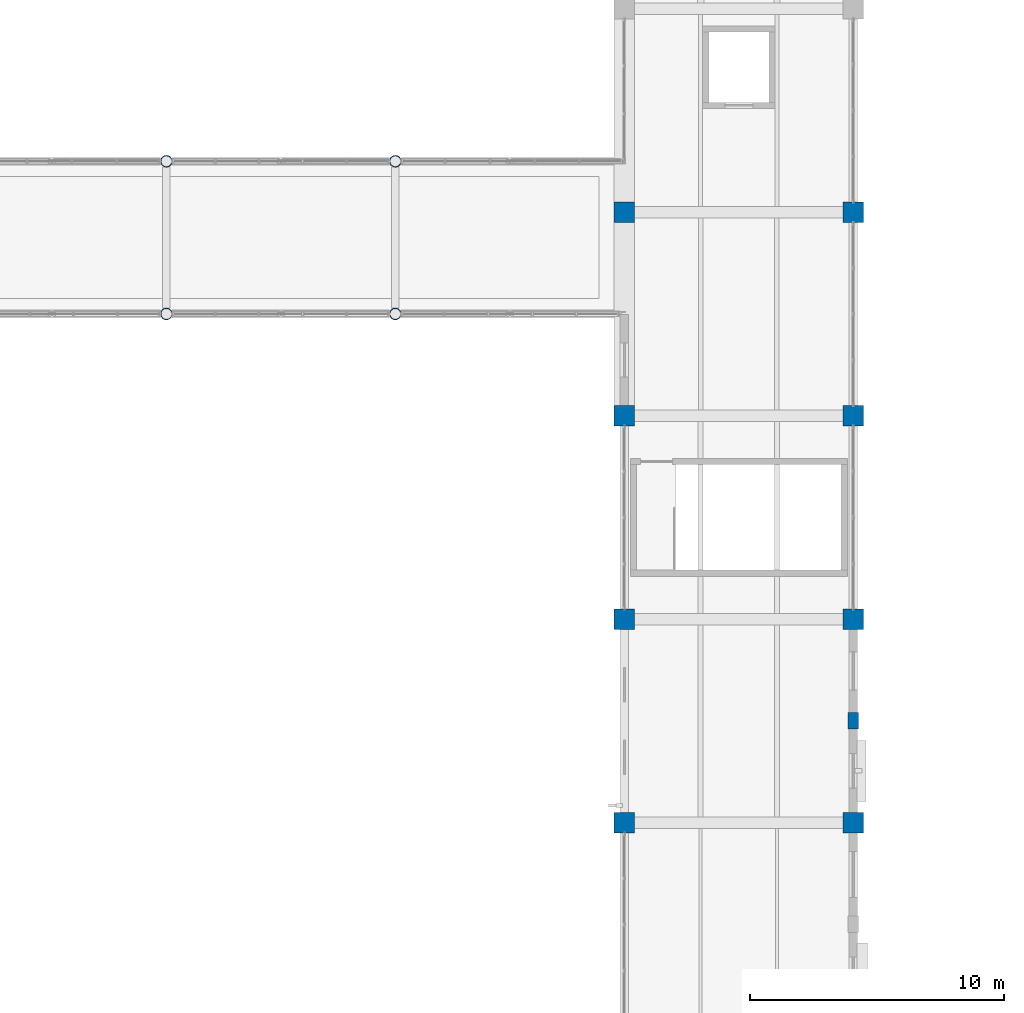
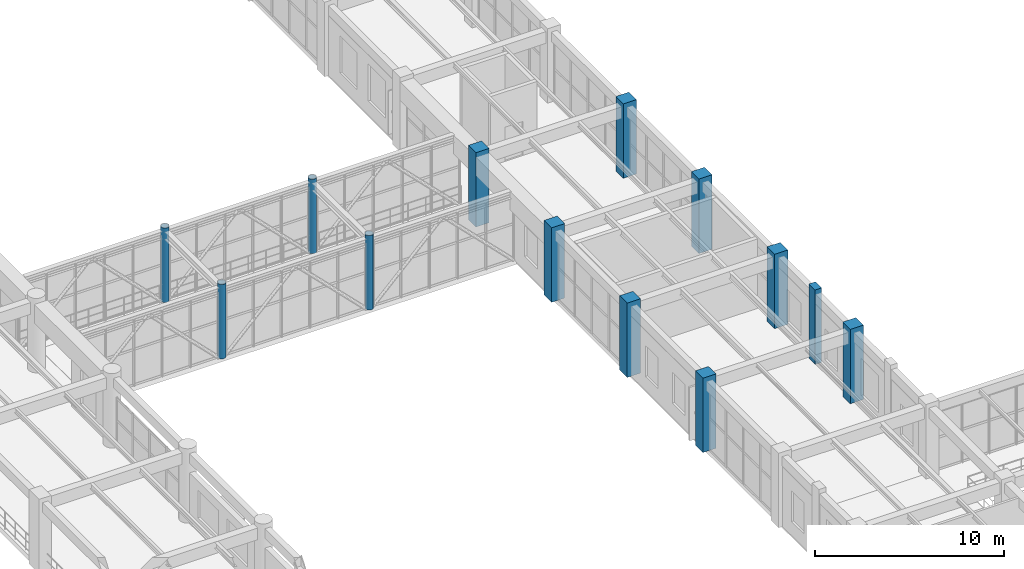
# One storey, part 6 of 178: 13 columns.
"""IFC4 building model written with IfcOpenShell, lengths in metres."""

import ifcopenshell
import ifcopenshell.guid

model = None  # the IFC model being written
_history = None  # IfcOwnerHistory: only IFC2X3 demands one
_inside = {}  # id of a spatial element -> (the spatial element, [elements in it])
_under = {}  # id of a project, library or spatial element -> (it, [spatial elements below it])
_declared = {}  # id of a project -> (the project, [libraries it declares])
_typed = {}  # id of a type object -> (the type object, [elements of that type])
_made_of = {}  # id of a material, layer set ... -> (it, [elements and type objects made of it])


def new_model(schema):
    """Start an empty IFC model of exactly this schema.

    Asked for "IFC4X3", IfcOpenShell would pick the latest addendum, in which some entities
    have other attributes; the version numbers below select the first issue.
    IFC2X3 requires an IfcOwnerHistory on every rooted entity: one is made here for all.
    """
    global model, _history
    if schema == "IFC4X3":
        model = ifcopenshell.file(schema_version=(4, 3, 0, 0))
    else:
        model = ifcopenshell.file(schema=schema)
    _inside.clear()
    _under.clear()
    _declared.clear()
    _typed.clear()
    _made_of.clear()
    _history = None
    if model.schema == "IFC2X3":
        org = make("IfcOrganization", Name="unknown")
        user = make(
            "IfcPersonAndOrganization",
            ThePerson=make("IfcPerson", FamilyName="unknown"),
            TheOrganization=org,
        )
        app = make(
            "IfcApplication",
            ApplicationDeveloper=org,
            Version="unknown",
            ApplicationFullName="unknown",
            ApplicationIdentifier="unknown",
        )
        _history = make(
            "IfcOwnerHistory",
            OwningUser=user,
            OwningApplication=app,
            ChangeAction="ADDED",
            CreationDate=0,
        )
    return model


def make(cls, **values):
    """One entity of the class cls with the attributes given. An attribute that is None is left unset."""
    return model.create_entity(
        cls, **{name: value for name, value in values.items() if value is not None}
    )


def rooted(cls, **values):
    """An entity with a GlobalId (a new one), such as an element, a storey or a relation."""
    return make(cls, GlobalId=ifcopenshell.guid.new(), OwnerHistory=_history, **values)


def si_unit(unit_type, name, prefix=None):
    """IfcSIUnit, for example si_unit("LENGTHUNIT", "METRE", prefix="MILLI")."""
    return make("IfcSIUnit", UnitType=unit_type, Prefix=prefix, Name=name)


def derived_unit(unit_type, elements):
    """IfcDerivedUnit: a product of units, each with its exponent."""
    return make(
        "IfcDerivedUnit",
        Elements=[
            make("IfcDerivedUnitElement", Unit=unit, Exponent=power)
            for unit, power in elements
        ],
        UnitType=unit_type,
    )


def assignment(units):
    """IfcUnitAssignment: the units of a project."""
    return None if units is None else make("IfcUnitAssignment", Units=units)


def point(xyz):
    """IfcCartesianPoint."""
    return None if xyz is None else make("IfcCartesianPoint", Coordinates=xyz)


def direction(xyz):
    """IfcDirection."""
    return None if xyz is None else make("IfcDirection", DirectionRatios=xyz)


def frame(location, z_axis=None, x_axis=None):
    """IfcAxis2Placement3D, a coordinate frame: its origin and axes. An axis left out is left unset."""
    return make(
        "IfcAxis2Placement3D",
        Location=point(location),
        Axis=direction(z_axis),
        RefDirection=direction(x_axis),
    )


def frame_2d(location, x_axis=None):
    """IfcAxis2Placement2D, a coordinate frame in the plane: its origin and x axis."""
    return make(
        "IfcAxis2Placement2D", Location=point(location), RefDirection=direction(x_axis)
    )


def origin():
    """The frame at (0, 0, 0) with its axes left unset."""
    return frame((0.0, 0.0, 0.0))


def origin_2d():
    """The frame at (0, 0) in the plane with its x axis left unset."""
    return frame_2d((0.0, 0.0))


def place(relative_to, where):
    """IfcLocalPlacement: puts the frame where relative to a parent placement (None: the world)."""
    return make(
        "IfcLocalPlacement", PlacementRelTo=relative_to, RelativePlacement=where
    )


def context(
    kind, dimensions, precision=None, world=None, true_north=None, identifier=None
):
    """IfcGeometricRepresentationContext, for example the 3D "Model" context."""
    return make(
        "IfcGeometricRepresentationContext",
        ContextIdentifier=identifier,
        ContextType=kind,
        CoordinateSpaceDimension=dimensions,
        Precision=precision,
        WorldCoordinateSystem=world,
        TrueNorth=true_north,
    )


def subcontext(parent, identifier, kind, view, scale=None):
    """IfcGeometricRepresentationSubContext, for example "Body" below "Model"."""
    return make(
        "IfcGeometricRepresentationSubContext",
        ContextIdentifier=identifier,
        ContextType=kind,
        ParentContext=parent,
        TargetScale=scale,
        TargetView=view,
    )


def project(units=None, contexts=None):
    """IfcProject with its units and contexts."""
    return rooted(
        "IfcProject",
        Name="project",
        RepresentationContexts=contexts,
        UnitsInContext=assignment(units),
    )


def spatial(cls, under=None, at=None, **own):
    """A site, building, storey or space (cls), placed at a placement, below another one or the project."""
    s = rooted(cls, ObjectPlacement=at, **own)
    if under is not None:
        _under.setdefault(under.id(), (under, []))[1].append(s)
    return s


def profile(cls, at=None, kind="AREA", **sizes):
    """A parametric profile (cls). Its sizes go by their IFC names, for example OverallWidth=200.0."""
    return make(cls, ProfileType=kind, Position=at, **sizes)


def rectangle(**sizes):
    """IfcRectangleProfileDef."""
    return profile("IfcRectangleProfileDef", **sizes)


def hollow_circle(**sizes):
    """IfcCircleHollowProfileDef."""
    return profile("IfcCircleHollowProfileDef", **sizes)


def extrude(swept, where, along, depth):
    """IfcExtrudedAreaSolid: the profile swept, set in the frame where, extruded along a direction by depth."""
    return make(
        "IfcExtrudedAreaSolid",
        SweptArea=swept,
        Position=where,
        ExtrudedDirection=direction(along),
        Depth=depth,
    )


def shape(context_of_items, identifier, shape_type, items):
    """IfcShapeRepresentation: the items that make up one representation, for example the "Body"."""
    return make(
        "IfcShapeRepresentation",
        ContextOfItems=context_of_items,
        RepresentationIdentifier=identifier,
        RepresentationType=shape_type,
        Items=items,
    )


def material(Name=None, Category=None):
    """IfcMaterial."""
    return make("IfcMaterial", Name=Name, Category=Category)


def material_profile(
    of_material, cross_section, Name=None, Category=None, Priority=None
):
    """IfcMaterialProfile: a cross section and its material."""
    return make(
        "IfcMaterialProfile",
        Name=Name,
        Material=of_material,
        Profile=cross_section,
        Priority=Priority,
        Category=Category,
    )


def profile_set(profiles, Name=None, composite=None):
    """IfcMaterialProfileSet."""
    return make(
        "IfcMaterialProfileSet",
        Name=Name,
        MaterialProfiles=profiles,
        CompositeProfile=composite,
    )


def made_of(thing, what):
    """Note that an element or type object is made of a material, layer set ...; save() writes the relation."""
    if what is not None:
        _made_of.setdefault(what.id(), (what, []))[1].append(thing)
    return thing


def type_object(cls, material=None, **own):
    """A type object (cls), such as IfcWallType, which elements share."""
    return made_of(rooted(cls, **own), material)


def element(
    cls,
    number,
    at=None,
    inside=None,
    cuts=None,
    type_object=None,
    material=None,
    context=None,
    identifier="Body",
    shape_type=None,
    held_by="IfcProductDefinitionShape",
    body=None,
    shapes=None,
    **own,
):
    """One element of the class cls, such as IfcWall. Its Tag is "e" and its number.

    at: its placement. inside: the storey or other place that contains it. cuts: it is an
    opening in that element (IfcRelVoidsElement). A single representation is given by context,
    identifier, shape_type and body (its items); several are given by shapes. held_by: the class
    of the entity that holds the representations. save() writes the other relations.
    """
    e = rooted(cls, Tag="e%d" % number, ObjectPlacement=at, **own)
    if body is not None:
        shapes = [shape(context, identifier, shape_type, body)]
    if shapes is not None:
        e.Representation = make(held_by, Representations=shapes)
    if inside is not None:
        _inside.setdefault(inside.id(), (inside, []))[1].append(e)
    if cuts is not None:
        rooted(
            "IfcRelVoidsElement", RelatingBuildingElement=cuts, RelatedOpeningElement=e
        )
    if type_object is not None:
        _typed.setdefault(type_object.id(), (type_object, []))[1].append(e)
    return made_of(e, material)


def aggregate(whole, parts):
    """IfcRelAggregates: a whole, such as a stair, and the parts it consists of."""
    return rooted("IfcRelAggregates", RelatingObject=whole, RelatedObjects=parts)


def save(model, path):
    """Write the relations noted so far, then the file.

    IfcRelAggregates (storeys below a building ...), IfcRelContainedInSpatialStructure (elements
    in a storey), IfcRelDefinesByType, IfcRelAssociatesMaterial and IfcRelDeclares: one each for
    every whole, place, type object, material and project.
    """
    for whole, parts in _under.values():
        aggregate(whole, parts)
    for where, things in _inside.values():
        rooted(
            "IfcRelContainedInSpatialStructure",
            RelatedElements=things,
            RelatingStructure=where,
        )
    for kind, things in _typed.values():
        rooted("IfcRelDefinesByType", RelatedObjects=things, RelatingType=kind)
    for what, things in _made_of.values():
        rooted("IfcRelAssociatesMaterial", RelatedObjects=things, RelatingMaterial=what)
    for by, libraries in _declared.values():
        rooted("IfcRelDeclares", RelatingContext=by, RelatedDefinitions=libraries)
    model.write(path)


model = new_model("IFC4")

# Units and contexts
model_context = context("Model", 3, precision=1e-05, world=origin(), true_north=direction((0.0, 1.0)))
body_context = subcontext(model_context, "Body", "Model", "MODEL_VIEW")
ifc_project = project(units=[si_unit("LENGTHUNIT", "METRE"), si_unit("AREAUNIT", "SQUARE_METRE"), si_unit("VOLUMEUNIT", "CUBIC_METRE"), si_unit("PLANEANGLEUNIT", "RADIAN"), si_unit("MASSUNIT", "GRAM", prefix="KILO"), derived_unit("THERMALTRANSMITTANCEUNIT", [(si_unit("MASSUNIT", "GRAM", prefix="KILO"), 1), (si_unit("TIMEUNIT", "SECOND"), -3), (si_unit("THERMODYNAMICTEMPERATUREUNIT", "KELVIN"), -1)])], contexts=[model_context])

# Site, building, storey
site_placement = place(None, origin())
site = spatial("IfcSite", under=ifc_project, at=site_placement, CompositionType="ELEMENT")
building_placement = place(site_placement, origin())
building = spatial("IfcBuilding", under=site, at=building_placement, Name="Zhenchuan Archway Interchange", CompositionType="ELEMENT")
storey_placement = place(building_placement, frame((0.0, 0.0, 5.39990234375)))
storey = spatial("IfcBuildingStorey", under=building, at=storey_placement, Name="L01", CompositionType="ELEMENT", Elevation=5.39990234375)

# Columns
ifc_material_1 = material(Name="Concrete C40", Category="concrete")
ifc_material_profile_1 = material_profile(ifc_material_1, rectangle(XDim=0.800048828125, YDim=0.800048828125, at=origin_2d()), Name="RC 800x800")
ifc_profile_set_1 = profile_set([ifc_material_profile_1], Name="Concrete C40")
column_type_1 = type_object("IfcColumnType", Name="COL_RC_800", PredefinedType="COLUMN", material=ifc_profile_set_1)
for number, where, z_axis, x_axis, name in (
    (1, (99.0, 32.0, 0.0), (0.0, 0.0, 1.0), (1.0, 0.0, 0.0), "Column 12/E (L01)"),
    (2, (99.0, 40.0, 0.0), (0.0, 0.0, 1.0), (1.0, 0.0, 0.0), "Column 12/F (L01)"),
    (3, (99.0, 48.0, 0.0), (0.0, 0.0, 1.0), (1.0, 0.0, 0.0), "Column 12/G (L01)"),
    (4, (99.0, 56.0, 0.0), (0.0, 0.0, 1.0), (1.0, 0.0, 0.0), "Column 12/H (L01)"),
    (5, (108.0, 32.0, 0.0), (0.0, 0.0, 1.0), (1.0, 0.0, 0.0), "Column 13/E (L01)"),
    (6, (108.0, 40.0, 0.0), (0.0, 0.0, 1.0), (1.0, 0.0, 0.0), "Column 13/F (L01)"),
    (7, (108.0, 48.0, 0.0), (0.0, 0.0, 1.0), (1.0, 0.0, 0.0), "Column 13/G (L01)"),
    (8, (108.0, 56.0, 0.0), (0.0, 0.0, 1.0), (1.0, 0.0, 0.0), "Column 13/H (L01)"),
):
    element("IfcColumn", number, at=place(storey_placement, frame(where, z_axis=z_axis, x_axis=x_axis)), inside=storey, type_object=column_type_1, Name=name, PredefinedType="COLUMN", context=body_context, shape_type="SweptSolid", body=[
        extrude(rectangle(XDim=0.800048828125, YDim=0.800048828125, at=origin_2d()), origin(), (0.0, 0.0, 1.0), 4.800048828125),
    ])
ifc_material_2 = material(Name="Steel Q390", Category="steel")
ifc_material_profile_2 = material_profile(ifc_material_2, hollow_circle(Radius=0.228515625, WallThickness=0.01611328125, at=origin_2d()), Name="CHS 457x16")
ifc_profile_set_2 = profile_set([ifc_material_profile_2], Name="Steel Q390")
column_type_2 = type_object("IfcColumnType", Name="COL_STL_CHS457", PredefinedType="COLUMN", material=ifc_profile_set_2)
for number, where, z_axis, x_axis, name in (
    (9, (81.0, 52.0, 0.0), (0.0, 0.0, 1.0), (1.0, 0.0, 0.0), "Footbridge pier column M1S (L01)"),
    (10, (81.0, 58.0, 0.0), (0.0, 0.0, 1.0), (1.0, 0.0, 0.0), "Footbridge pier column M1N (L01)"),
    (11, (90.0, 52.0, 0.0), (0.0, 0.0, 1.0), (1.0, 0.0, 0.0), "Footbridge pier column M2S (L01)"),
    (12, (90.0, 58.0, 0.0), (0.0, 0.0, 1.0), (1.0, 0.0, 0.0), "Footbridge pier column M2N (L01)"),
):
    element("IfcColumn", number, at=place(storey_placement, frame(where, z_axis=z_axis, x_axis=x_axis)), inside=storey, type_object=column_type_2, Name=name, PredefinedType="COLUMN", context=body_context, shape_type="SweptSolid", body=[
        extrude(hollow_circle(Radius=0.228515625, WallThickness=0.01611328125, at=origin_2d()), origin(), (0.0, 0.0, 1.0), 4.800048828125),
    ])
ifc_material_profile_3 = material_profile(ifc_material_1, rectangle(XDim=0.39990234375, YDim=0.64990234375, at=origin_2d()), Name="RC 400x650")
ifc_profile_set_3 = profile_set([ifc_material_profile_3], Name="Concrete C40")
column_type_3 = type_object("IfcColumnType", Name="PIL_COURT_400x650", PredefinedType="PILASTER", material=ifc_profile_set_3)
column_placement = place(storey_placement, frame((108.0, 36.0, 0.0), z_axis=(0.0, 0.0, 1.0), x_axis=(1.0, 0.0, 0.0)))
element("IfcColumn", 13, at=column_placement, inside=storey, type_object=column_type_3, Name="Colonnade pilaster CRT-W2 (L01)", PredefinedType="PILASTER", context=body_context, shape_type="SweptSolid", body=[
    extrude(rectangle(XDim=0.39990234375, YDim=0.64990234375, at=origin_2d()), origin(), (0.0, 0.0, 1.0), 4.800048828125),
])

save(model, "model.ifc")
